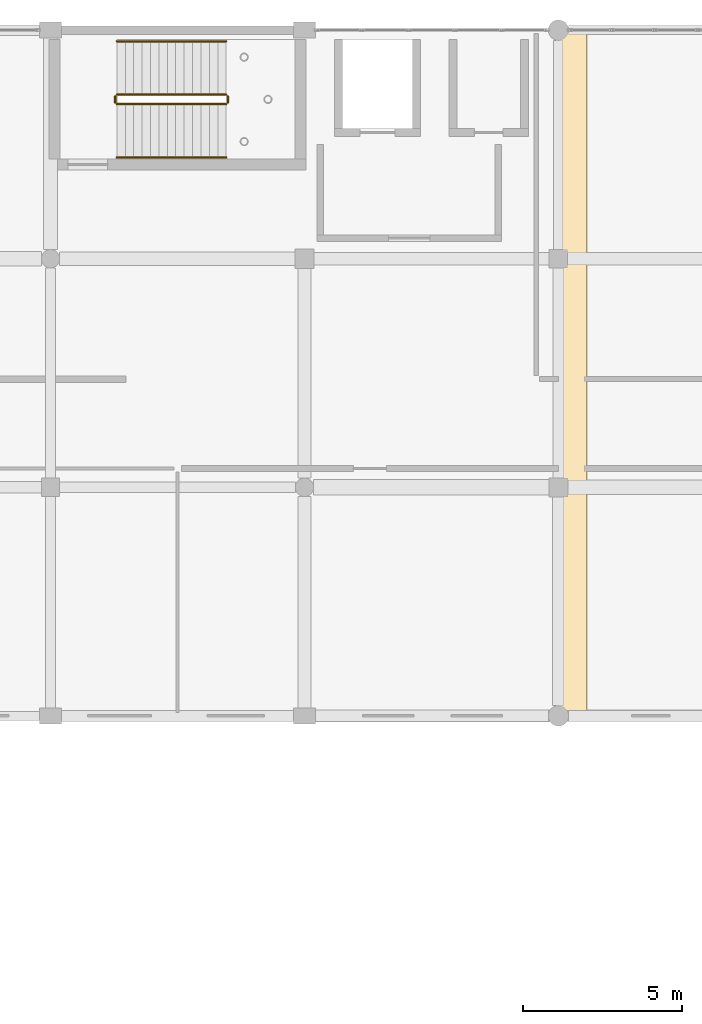
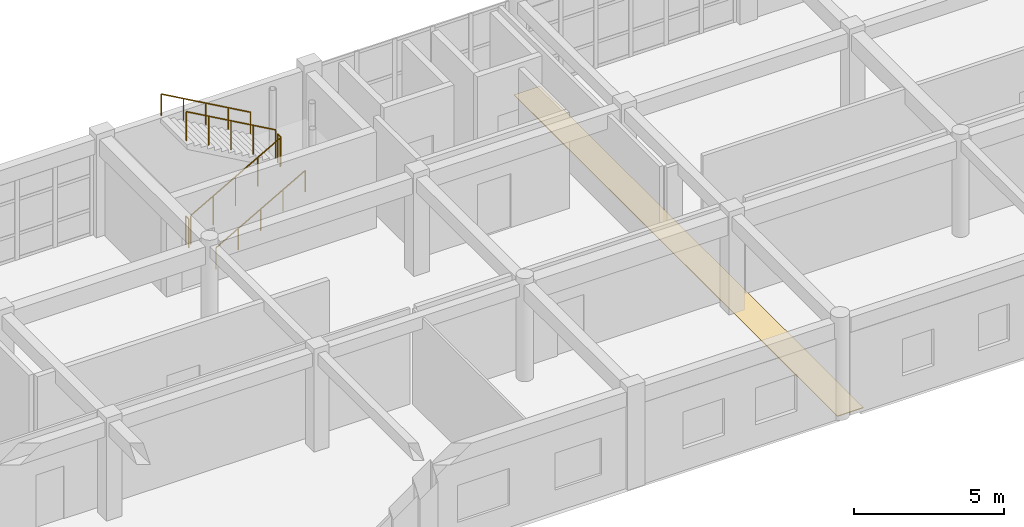
# One storey, part 50 of 53: 6 railings, 1 covering.
"""IFC4 building model written with IfcOpenShell, lengths in metres."""

from ifc_helpers import new_model, si_unit, direction, frame, origin, origin_2d, place, context, subcontext, project, spatial, polyline, circle, outline, extrude, material, layer, layer_set, type_object, element, save


model = new_model("IFC4")

# Units and contexts
model_context = context("Model", 3, precision=1e-05, world=origin(), true_north=direction((0.0, 1.0)))
body_context = subcontext(model_context, "Body", "Model", "MODEL_VIEW")
ifc_project = project(units=[si_unit("LENGTHUNIT", "METRE"), si_unit("AREAUNIT", "SQUARE_METRE"), si_unit("VOLUMEUNIT", "CUBIC_METRE"), si_unit("PLANEANGLEUNIT", "RADIAN"), si_unit("MASSUNIT", "GRAM", prefix="KILO")], contexts=[model_context])

# Site, building, storey
site_placement = place(None, origin())
site = spatial("IfcSite", under=ifc_project, at=site_placement, CompositionType="ELEMENT")
building_placement = place(site_placement, origin())
building = spatial("IfcBuilding", under=site, at=building_placement, Name="Kharva Crest Polytechnic", CompositionType="ELEMENT")
storey_placement = place(building_placement, frame((0.0, 0.0, 17.39990234375)))
storey = spatial("IfcBuildingStorey", under=building, at=storey_placement, Name="L04", CompositionType="ELEMENT", Elevation=17.39990234375)

# Covering
ifc_material_1 = material(Name="Anodised aluminium", Category="aluminium")
ifc_layer = layer(ifc_material_1, 0.030029296875, Name="Anodised aluminium")
ifc_layer_set = layer_set([ifc_layer], Name="Anodised aluminium")
covering_type = type_object("IfcCoveringType", Name="COV-SEISMIC-JOINT", PredefinedType="FLOORING", material=ifc_layer_set)
covering_placement = place(storey_placement, frame((0.0, 0.0, -0.02978515625)))
element("IfcCovering", 1, at=covering_placement, inside=storey, type_object=covering_type, Name="L04 Seismic Expansion Joint Floor Cover N_STUDIO", PredefinedType="FLOORING", context=body_context, shape_type="SweptSolid", body=[
    extrude(outline(polyline([(119.89990234375, 100.39990234375), (120.89990234375, 100.39990234375), (120.89990234375, 122.0), (119.89990234375, 122.0), (119.89990234375, 100.39990234375)])), origin(), (0.0, 0.0, 1.0), 0.02978515625),
])

# Railings
railing_type_1 = type_object("IfcRailingType", Name="RL-STAIR-GUARD-1200", PredefinedType="GUARDRAIL", material=ifc_material_1)
railing_1_placement = place(storey_placement, frame((106.090087890625, 119.669921875, 0.150146484375)))
element("IfcRailing", 2, at=railing_1_placement, inside=storey, type_object=railing_type_1, Name="L04 ST-04 stair guard 1", PredefinedType="GUARDRAIL", context=body_context, shape_type="SweptSolid", body=[
    extrude(circle(Radius=0.02392578125, at=origin_2d()), frame((0.0, 0.0, 1.17578125), z_axis=(0.870251367514, 0.0, 0.492607914411), x_axis=(0.0, 1.0, 0.0)), (0.0, 0.0, 1.0), 3.95849609375),
    extrude(circle(Radius=0.02099609375, at=origin_2d()), origin(), (0.0, 0.0, 1.0), 1.15185546875),
    extrude(circle(Radius=0.02099609375, at=origin_2d()), frame((0.861328125, 0.0, 0.487548828125)), (0.0, 0.0, 1.0), 1.15185546875),
    extrude(circle(Radius=0.02099609375, at=origin_2d()), frame((1.722412109375, 0.0, 0.97509765625)), (0.0, 0.0, 1.0), 1.15185546875),
    extrude(circle(Radius=0.02099609375, at=origin_2d()), frame((2.58349609375, 0.0, 1.46240234375)), (0.0, 0.0, 1.0), 1.15185546875),
    extrude(circle(Radius=0.02099609375, at=origin_2d()), frame((3.44482421875, 0.0, 1.949951171875)), (0.0, 0.0, 1.0), 1.15185546875),
])
railing_2_placement = place(storey_placement, frame((109.5849609375, 119.719970703125, 2.10009765625)))
element("IfcRailing", 3, at=railing_2_placement, inside=storey, type_object=railing_type_1, Name="L04 ST-04 stair guard 2", PredefinedType="GUARDRAIL", context=body_context, shape_type="SweptSolid", body=[
    extrude(circle(Radius=0.02392578125, at=origin_2d()), frame((0.0, 0.0, 1.17578125), z_axis=(0.0, 1.0, 0.0), x_axis=(-1.0, 0.0, 0.0)), (0.0, 0.0, 1.0), 0.199951171875),
    extrude(circle(Radius=0.02099609375, at=origin_2d()), origin(), (0.0, 0.0, 1.0), 1.15185546875),
    extrude(circle(Radius=0.02099609375, at=origin_2d()), frame((0.0, 0.199951171875, 0.0)), (0.0, 0.0, 1.0), 1.15185546875),
])
railing_3_placement = place(storey_placement, frame((109.534912109375, 119.969970703125, 2.25)))
element("IfcRailing", 4, at=railing_3_placement, inside=storey, type_object=railing_type_1, Name="L04 ST-04 stair guard 3", PredefinedType="GUARDRAIL", context=body_context, shape_type="SweptSolid", body=[
    extrude(circle(Radius=0.02392578125, at=origin_2d()), frame((0.0, 0.0, 1.17578125), z_axis=(-0.870224926921, 0.0, 0.492654621987), x_axis=(0.0, -1.0, 0.0)), (0.0, 0.0, 1.0), 3.95849609375),
    extrude(circle(Radius=0.02099609375, at=origin_2d()), origin(), (0.0, 0.0, 1.0), 1.15185546875),
    extrude(circle(Radius=0.02099609375, at=origin_2d()), frame((-0.861328125, 0.0, 0.487548828125)), (0.0, 0.0, 1.0), 1.15185546875),
    extrude(circle(Radius=0.02099609375, at=origin_2d()), frame((-1.722412109375, 0.0, 0.97509765625)), (0.0, 0.0, 1.0), 1.15185546875),
    extrude(circle(Radius=0.02099609375, at=origin_2d()), frame((-2.58349609375, 0.0, 1.462646484375)), (0.0, 0.0, 1.0), 1.15185546875),
    extrude(circle(Radius=0.02099609375, at=origin_2d()), frame((-3.44482421875, 0.0, 1.9501953125)), (0.0, 0.0, 1.0), 1.15185546875),
])
railing_4_placement = place(storey_placement, frame((106.0400390625, 119.719970703125, 0.0)))
element("IfcRailing", 5, at=railing_4_placement, inside=storey, type_object=railing_type_1, Name="L04 ST-04 stair guard 4", PredefinedType="GUARDRAIL", context=body_context, shape_type="SweptSolid", body=[
    extrude(circle(Radius=0.02392578125, at=origin_2d()), frame((0.0, 0.0, 1.17578125), z_axis=(0.0, 1.0, 0.0), x_axis=(-1.0, 0.0, 0.0)), (0.0, 0.0, 1.0), 0.199951171875),
    extrude(circle(Radius=0.02099609375, at=origin_2d()), origin(), (0.0, 0.0, 1.0), 1.15185546875),
    extrude(circle(Radius=0.02099609375, at=origin_2d()), frame((0.0, 0.199951171875, 0.0)), (0.0, 0.0, 1.0), 1.15185546875),
])
ifc_material_2 = material(Name="Teak timber", Category="wood")
railing_type_2 = type_object("IfcRailingType", Name="RL-STAIR-HAND-900", PredefinedType="HANDRAIL", material=ifc_material_2)
railing_5_placement = place(storey_placement, frame((106.090087890625, 117.989990234375, 0.150146484375)))
element("IfcRailing", 6, at=railing_5_placement, inside=storey, type_object=railing_type_2, Name="L04 ST-04 stair handrail 1", PredefinedType="HANDRAIL", context=body_context, shape_type="SweptSolid", body=[
    extrude(circle(Radius=0.02392578125, at=origin_2d()), frame((0.0, 0.0, 0.8759765625), z_axis=(0.870251367514, 0.0, 0.492607914411), x_axis=(0.0, 1.0, 0.0)), (0.0, 0.0, 1.0), 3.95849609375),
    extrude(circle(Radius=0.02099609375, at=origin_2d()), origin(), (0.0, 0.0, 1.0), 0.851806640625),
    extrude(circle(Radius=0.02099609375, at=origin_2d()), frame((0.861328125, 0.0, 0.487548828125)), (0.0, 0.0, 1.0), 0.851806640625),
    extrude(circle(Radius=0.02099609375, at=origin_2d()), frame((1.722412109375, 0.0, 0.97509765625)), (0.0, 0.0, 1.0), 0.851806640625),
    extrude(circle(Radius=0.02099609375, at=origin_2d()), frame((2.58349609375, 0.0, 1.46240234375)), (0.0, 0.0, 1.0), 0.851806640625),
    extrude(circle(Radius=0.02099609375, at=origin_2d()), frame((3.44482421875, 0.0, 1.949951171875)), (0.0, 0.0, 1.0), 0.851806640625),
])
railing_6_placement = place(storey_placement, frame((109.534912109375, 121.64990234375, 2.25)))
element("IfcRailing", 7, at=railing_6_placement, inside=storey, type_object=railing_type_2, Name="L04 ST-04 stair handrail 2", PredefinedType="HANDRAIL", context=body_context, shape_type="SweptSolid", body=[
    extrude(circle(Radius=0.02392578125, at=origin_2d()), frame((0.0, 0.0, 0.8759765625), z_axis=(-0.870224926921, 0.0, 0.492654621987), x_axis=(0.0, -1.0, 0.0)), (0.0, 0.0, 1.0), 3.95849609375),
    extrude(circle(Radius=0.02099609375, at=origin_2d()), origin(), (0.0, 0.0, 1.0), 0.851806640625),
    extrude(circle(Radius=0.02099609375, at=origin_2d()), frame((-0.861328125, 0.0, 0.487548828125)), (0.0, 0.0, 1.0), 0.851806640625),
    extrude(circle(Radius=0.02099609375, at=origin_2d()), frame((-1.722412109375, 0.0, 0.97509765625)), (0.0, 0.0, 1.0), 0.851806640625),
    extrude(circle(Radius=0.02099609375, at=origin_2d()), frame((-2.58349609375, 0.0, 1.462646484375)), (0.0, 0.0, 1.0), 0.851806640625),
    extrude(circle(Radius=0.02099609375, at=origin_2d()), frame((-3.44482421875, 0.0, 1.9501953125)), (0.0, 0.0, 1.0), 0.851806640625),
])

save(model, "model.ifc")
